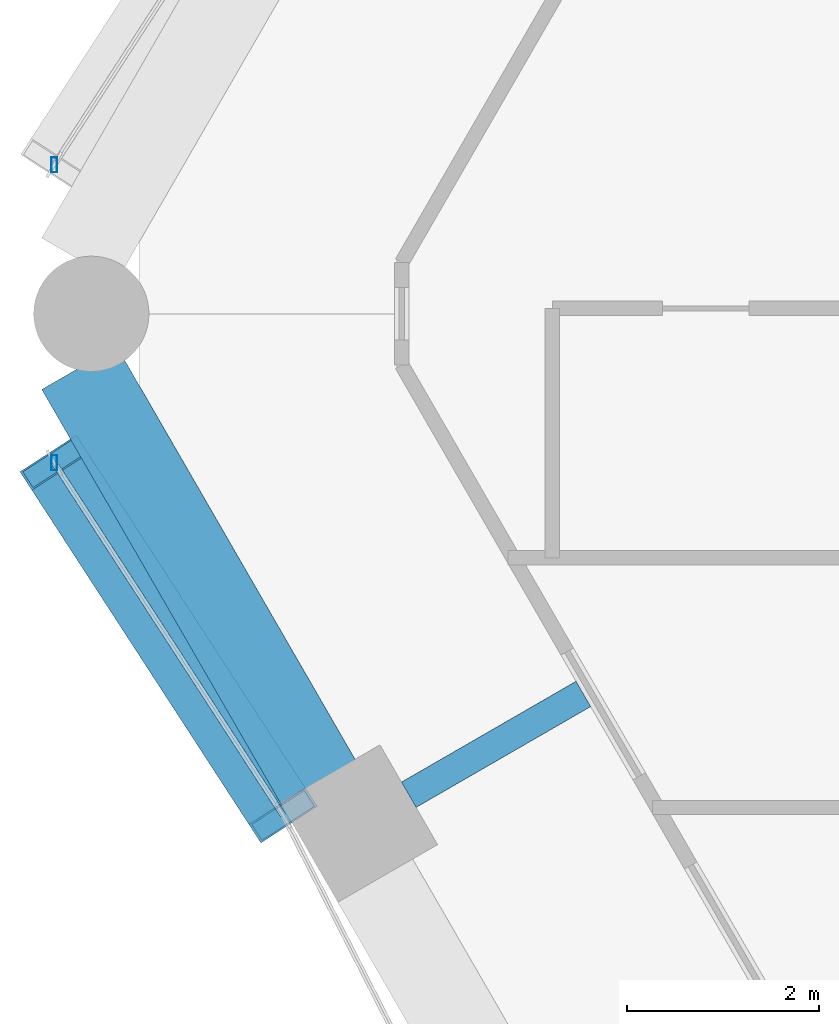
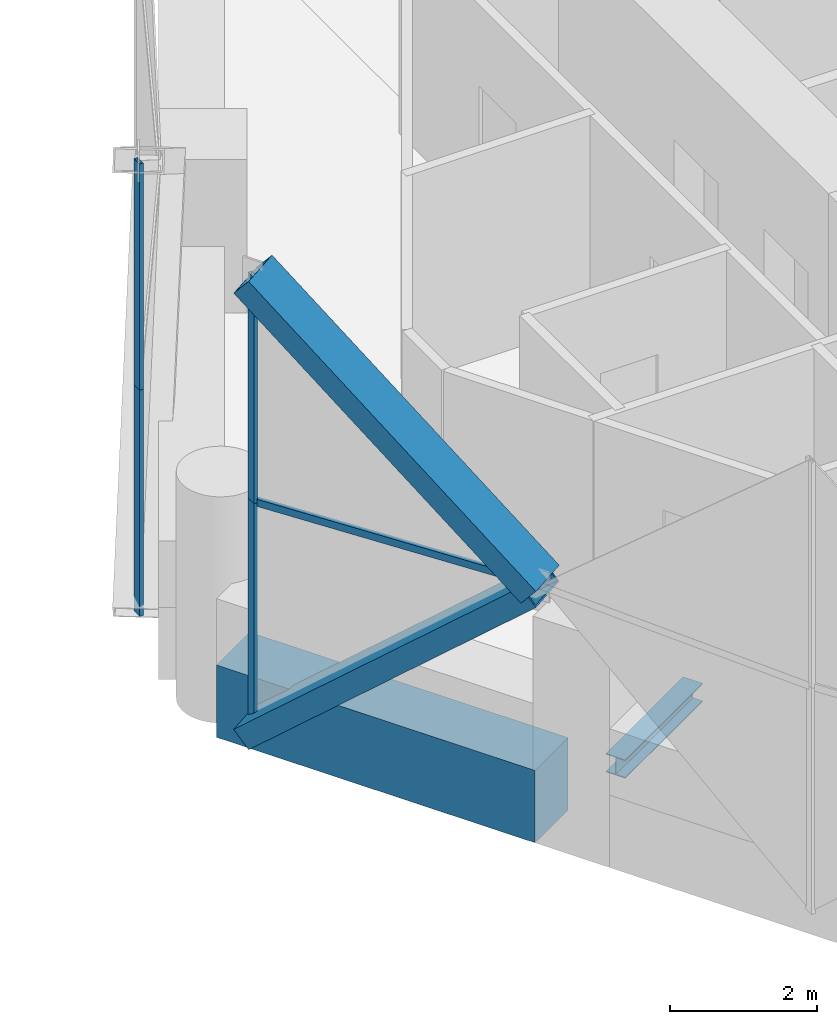
# One storey, part 10 of 36: 7 members, 2 beams, 3 elements without a shape of their own.
"""IFC4 building model written with IfcOpenShell, lengths in metres."""

from ifc_helpers import new_model, si_unit, direction, frame, origin, origin_2d, place, context, subcontext, project, spatial, rectangle, hollow_rectangle, i_section, extrude, material, material_profile, profile_set, type_object, element, aggregate, save


model = new_model("IFC4")

# Units and contexts
model_context = context("Model", 3, precision=1e-05, world=origin(), true_north=direction((0.0, 1.0)))
body_context = subcontext(model_context, "Body", "Model", "MODEL_VIEW")
ifc_project = project(units=[si_unit("LENGTHUNIT", "METRE"), si_unit("AREAUNIT", "SQUARE_METRE"), si_unit("VOLUMEUNIT", "CUBIC_METRE"), si_unit("PLANEANGLEUNIT", "RADIAN"), si_unit("MASSUNIT", "GRAM", prefix="KILO")], contexts=[model_context])

# Site, building, storey
site_placement = place(None, origin())
site = spatial("IfcSite", under=ifc_project, at=site_placement, CompositionType="ELEMENT")
building_placement = place(site_placement, origin())
building = spatial("IfcBuilding", under=site, at=building_placement, Name="Ostrander Bayou Hotel Tower", CompositionType="ELEMENT")
storey_placement = place(building_placement, frame((0.0, 0.0, 138.5)))
storey = spatial("IfcBuildingStorey", under=building, at=storey_placement, Name="L34", CompositionType="ELEMENT", Elevation=138.5)

# Curtain wall, members
ifc_material_1 = material(Name="Aluminium and clear glass", Category="aluminium")
curtain_wall_type = type_object("IfcCurtainWallType", Name="CW-LAT lattice glazing", PredefinedType="NOTDEFINED", material=ifc_material_1)
curtain_wall_1_placement = place(storey_placement, origin())
curtain_wall_1 = element("IfcCurtainWall", 1, at=curtain_wall_1_placement, inside=storey, type_object=curtain_wall_type, Name="CW-LAT L34 NW 1", PredefinedType="NOTDEFINED")
ifc_material_2 = material(Name="Aluminium", Category="aluminium")
ifc_material_profile_1 = material_profile(ifc_material_2, hollow_rectangle(XDim=0.06005859375, YDim=0.159912109375, WallThickness=0.00390625, at=origin_2d()))
ifc_profile_set_1 = profile_set([ifc_material_profile_1], Name="Aluminium")
member_type_1 = type_object("IfcMemberType", Name="CW-LA mullion 60 x 160 mm", PredefinedType="MULLION", material=ifc_profile_set_1)
member_1_placement = place(storey_placement, frame((-22.188720703125, 0.39501953125, -0.60009765625), z_axis=(0.0, 0.0, 1.0), x_axis=(1.0, 0.0, 0.0)))
member_1 = element("IfcMember", 2, at=member_1_placement, type_object=member_type_1, Name="CW-LAT mullion 5", PredefinedType="MULLION", context=body_context, shape_type="SweptSolid", body=[
    extrude(hollow_rectangle(XDim=0.06005859375, YDim=0.159912109375, WallThickness=0.00390625, at=origin_2d()), origin(), (0.0, 0.0, 1.0), 3.75),
])
member_2_placement = place(storey_placement, frame((-22.188720703125, 0.39501953125, 3.14990234375), z_axis=(0.0, 0.0, 1.0), x_axis=(1.0, 0.0, 0.0)))
member_2 = element("IfcMember", 3, at=member_2_placement, type_object=member_type_1, Name="CW-LAT mullion 6", PredefinedType="MULLION", context=body_context, shape_type="SweptSolid", body=[
    extrude(hollow_rectangle(XDim=0.06005859375, YDim=0.159912109375, WallThickness=0.00390625, at=origin_2d()), origin(), (0.0, 0.0, 1.0), 3.75),
])
aggregate(curtain_wall_1, [member_1, member_2])

curtain_wall_2_placement = place(storey_placement, origin())
curtain_wall_2 = element("IfcCurtainWall", 4, at=curtain_wall_2_placement, inside=storey, type_object=curtain_wall_type, Name="CW-LAT L34 SW 1", PredefinedType="NOTDEFINED")
member_3_placement = place(storey_placement, frame((-22.188720703125, -2.7080078125, -0.60009765625), z_axis=(0.0, 0.0, 1.0), x_axis=(1.0, 0.0, 0.0)))
member_3 = element("IfcMember", 5, at=member_3_placement, type_object=member_type_1, Name="CW-LAT mullion 1", PredefinedType="MULLION", context=body_context, shape_type="SweptSolid", body=[
    extrude(hollow_rectangle(XDim=0.06005859375, YDim=0.159912109375, WallThickness=0.00390625, at=origin_2d()), origin(), (0.0, 0.0, 1.0), 3.75),
])
member_4_placement = place(storey_placement, frame((-22.188720703125, -2.7080078125, 3.14990234375), z_axis=(0.0, 0.0, 1.0), x_axis=(1.0, 0.0, 0.0)))
member_4 = element("IfcMember", 6, at=member_4_placement, type_object=member_type_1, Name="CW-LAT mullion 2", PredefinedType="MULLION", context=body_context, shape_type="SweptSolid", body=[
    extrude(hollow_rectangle(XDim=0.06005859375, YDim=0.159912109375, WallThickness=0.00390625, at=origin_2d()), origin(), (0.0, 0.0, 1.0), 3.75),
])
aggregate(curtain_wall_2, [member_3, member_4])

# Curtain wall, member
curtain_wall_3_placement = place(storey_placement, origin())
curtain_wall_3 = element("IfcCurtainWall", 7, at=curtain_wall_3_placement, inside=storey, type_object=curtain_wall_type, Name="CW-LAT L34 SW 2", PredefinedType="NOTDEFINED")
ifc_material_3 = material(Name="Aluminium", Category="aluminium")
ifc_material_profile_2 = material_profile(ifc_material_3, hollow_rectangle(XDim=0.06005859375, YDim=0.1201171875, WallThickness=0.00390625, at=origin_2d()))
ifc_profile_set_2 = profile_set([ifc_material_profile_2], Name="Aluminium")
member_type_2 = type_object("IfcMemberType", Name="CW-LA transom 60 x 120 mm", PredefinedType="USERDEFINED", material=ifc_profile_set_2)
member_5_placement = place(storey_placement, frame((-22.188720703125, -2.7080078125, 3.14990234375), z_axis=(0.544627844501, -0.838677835044, 0.0), x_axis=(0.838677835044, 0.544627844501, 0.0)))
member_5 = element("IfcMember", 8, at=member_5_placement, type_object=member_type_2, Name="CW-LAT transom 3", ObjectType="TRANSOM", PredefinedType="USERDEFINED", context=body_context, shape_type="SweptSolid", body=[
    extrude(hollow_rectangle(XDim=0.06005859375, YDim=0.1201171875, WallThickness=0.00390625, at=origin_2d()), origin(), (0.0, 0.0, 1.0), 4.380615234375),
])
aggregate(curtain_wall_3, [member_5])

# Beam
ifc_material_4 = material(Name="Steel ASTM A992", Category="steel")
ifc_material_profile_3 = material_profile(ifc_material_4, i_section(OverallWidth=0.3046875, OverallDepth=0.307861328125, WebThickness=0.010009765625, FlangeThickness=0.015380859375, at=origin_2d()))
ifc_profile_set_3 = profile_set([ifc_material_profile_3], Name="Steel ASTM A992")
beam_type_1 = type_object("IfcBeamType", Name="LB1 loggia bracket W12x65", PredefinedType="BEAM", material=ifc_profile_set_3)
beam_1_placement = place(storey_placement, frame((-18.494384765625, -6.166748046875, -0.453857421875), z_axis=(0.866009402589, 0.500027713859, 0.0), x_axis=(-0.500027713859, 0.866009402589, 0.0)))
element("IfcBeam", 9, at=beam_1_placement, inside=storey, type_object=beam_type_1, Name="LB1 L34 SW1", PredefinedType="BEAM", context=body_context, shape_type="SweptSolid", body=[
    extrude(i_section(OverallWidth=0.3046875, OverallDepth=0.307861328125, WebThickness=0.010009765625, FlangeThickness=0.015380859375, at=origin_2d()), origin(), (0.0, 0.0, 1.0), 2.10009765625),
])

# Members
ifc_material_5 = material(Name="Steel ASTM A572 Gr 50", Category="steel")
ifc_material_profile_4 = material_profile(ifc_material_5, hollow_rectangle(XDim=0.699951171875, YDim=0.35009765625, WallThickness=0.02490234375, at=origin_2d()))
ifc_profile_set_4 = profile_set([ifc_material_profile_4], Name="Steel ASTM A572 Gr 50")
member_type_3 = type_object("IfcMemberType", Name="LT1 lattice member box 700 x 350 x 25 mm", PredefinedType="BRACE", material=ifc_profile_set_4)
for number, where, z_axis, x_axis, name in (
    (10, (-19.802978515625, -6.3818359375, 3.14990234375), (-0.413732210593, 0.637110346399, -0.650319970806), (-0.838677835044, -0.544627844501, 0.0), "LT1 L34 SW 1"),
    (11, (-19.802978515625, -6.3818359375, 3.14990234375), (-0.413732210593, 0.637110346399, 0.650319970806), (-0.838677835044, -0.544627844501, 0.0), "LT1 L34 SW 2"),
):
    element("IfcMember", number, at=place(storey_placement, frame(where, z_axis=z_axis, x_axis=x_axis)), inside=storey, type_object=member_type_3, Name=name, PredefinedType="BRACE", context=body_context, shape_type="SweptSolid", body=[
        extrude(hollow_rectangle(XDim=0.699951171875, YDim=0.35009765625, WallThickness=0.02490234375, at=origin_2d()), origin(), (0.0, 0.0, 1.0), 5.766357421875),
    ])

# Beam
ifc_material_6 = material(Name="Concrete f'c 70 MPa", Category="concrete")
ifc_material_profile_5 = material_profile(ifc_material_6, rectangle(XDim=0.89990234375, YDim=1.199951171875, at=origin_2d()))
ifc_profile_set_5 = profile_set([ifc_material_profile_5], Name="Concrete f'c 70 MPa")
beam_type_2 = type_object("IfcBeamType", Name="SP2 spandrel beam 900 x 1200 mm f'c 70 MPa", PredefinedType="SPANDREL", material=ifc_profile_set_5)
beam_2_placement = place(storey_placement, frame((-21.927734375, -1.72021484375, -0.60009765625), z_axis=(0.500011423449, -0.866018808352, 0.0), x_axis=(0.866018808352, 0.500011423449, 0.0)))
element("IfcBeam", 12, at=beam_2_placement, inside=storey, type_object=beam_type_2, Name="SP2 L34 SW-1", PredefinedType="SPANDREL", context=body_context, shape_type="SweptSolid", body=[
    extrude(rectangle(XDim=0.89990234375, YDim=1.199951171875, at=origin_2d()), origin(), (0.0, 0.0, 1.0), 4.99755859375),
])

save(model, "model.ifc")
